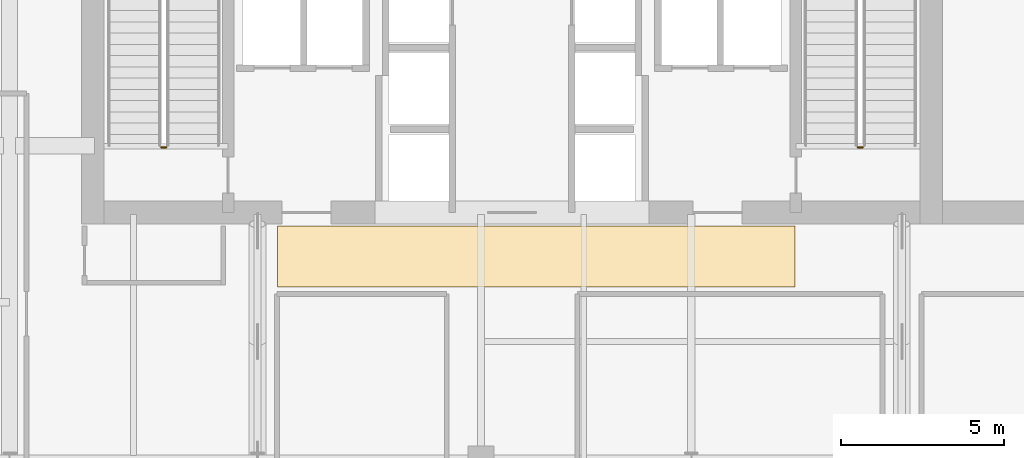
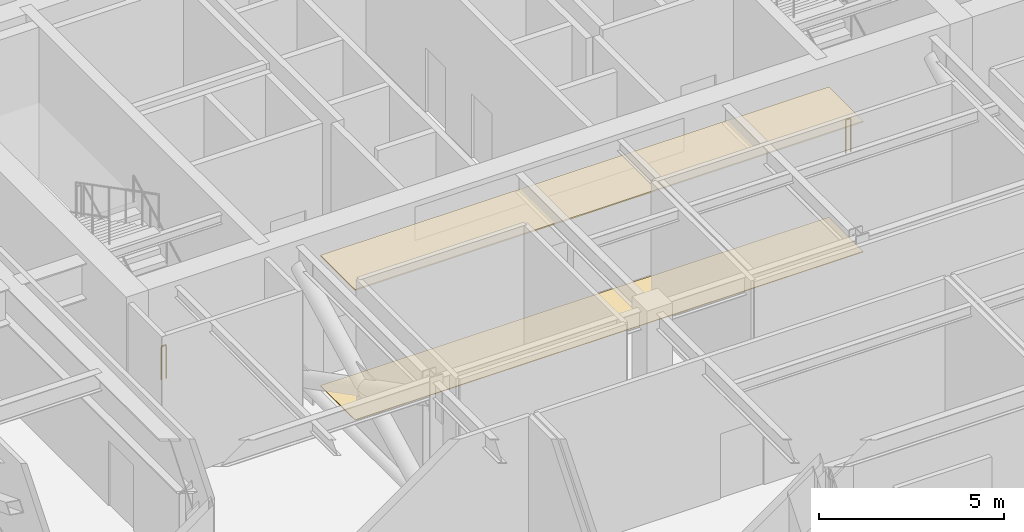
# One storey, part 9 of 12: 2 coverings, 2 railings.
"""IFC4 building model written with IfcOpenShell, lengths in metres."""

from ifc_helpers import new_model, si_unit, direction, frame, origin, origin_2d, place, context, subcontext, project, spatial, polyline, circle, outline, extrude, material, layer, layer_set, type_object, element, save


model = new_model("IFC4")

# Units and contexts
model_context = context("Model", 3, precision=1e-05, world=origin(), true_north=direction((0.0, 1.0)))
body_context = subcontext(model_context, "Body", "Model", "MODEL_VIEW")
ifc_project = project(units=[si_unit("LENGTHUNIT", "METRE"), si_unit("AREAUNIT", "SQUARE_METRE"), si_unit("VOLUMEUNIT", "CUBIC_METRE"), si_unit("PLANEANGLEUNIT", "RADIAN"), si_unit("MASSUNIT", "GRAM", prefix="KILO")], contexts=[model_context])

# Site, building, storey
site_placement = place(None, origin())
site = spatial("IfcSite", under=ifc_project, at=site_placement, CompositionType="ELEMENT")
building_placement = place(site_placement, origin())
building = spatial("IfcBuilding", under=site, at=building_placement, Name="Tolvann Quenvar Hotel", CompositionType="ELEMENT")
storey_placement = place(building_placement, frame((0.0, 0.0, 182.550048828125)))
storey = spatial("IfcBuildingStorey", under=building, at=storey_placement, Name="L48", CompositionType="ELEMENT", Elevation=182.550048828125)

# Coverings
ifc_material_1 = material(Name="Micro-perforated acoustic mineral-fibre and timber-batten suspended ceiling", Category="wood")
ifc_layer_1 = layer(ifc_material_1, 0.0400390625)
ifc_layer_set_1 = layer_set([ifc_layer_1], Name="Micro-perforated acoustic mineral-fibre and timber-batten suspended ceiling")
covering_type_1 = type_object("IfcCoveringType", Name="COV_CEIL_ACOUSTIC_40", PredefinedType="CEILING", material=ifc_layer_set_1)
covering_1_placement = place(storey_placement, frame((0.0, 0.0, 4.280029296875)))
element("IfcCovering", 1, at=covering_1_placement, inside=storey, type_object=covering_type_1, Name="Suspended Acoustic Ceiling (Plant Core Stair Vestibule L48)", PredefinedType="CEILING", context=body_context, shape_type="SweptSolid", body=[
    extrude(outline(polyline([(15.820068359375, 29.669921875), (31.679931640625, 29.669921875), (31.679931640625, 31.5400390625), (15.820068359375, 31.5400390625), (15.820068359375, 29.669921875)])), origin(), (0.0, 0.0, 1.0), 0.0400390625),
])
ifc_material_2 = material(Name="Honed Australian bluestone, terrazzo and engineered oak flooring", Category="masonry")
ifc_layer_2 = layer(ifc_material_2, 0.02001953125)
ifc_layer_set_2 = layer_set([ifc_layer_2], Name="Honed Australian bluestone, terrazzo and engineered oak flooring")
covering_type_2 = type_object("IfcCoveringType", Name="COV_FLOOR_STONE_20", PredefinedType="FLOORING", material=ifc_layer_set_2)
covering_2_placement = place(storey_placement, origin())
element("IfcCovering", 2, at=covering_2_placement, inside=storey, type_object=covering_type_2, Name="Architectural Floor Finish (Plant Core Stair Vestibule L48)", PredefinedType="FLOORING", context=body_context, shape_type="SweptSolid", body=[
    extrude(outline(polyline([(15.820068359375, 29.669921875), (31.679931640625, 29.669921875), (31.679931640625, 31.5400390625), (15.820068359375, 31.5400390625), (15.820068359375, 29.669921875)])), origin(), (0.0, 0.0, 1.0), 0.02001953125),
])

# Railings
ifc_material_3 = material(Name="Brushed 316 stainless steel balustrade and handrail", Category="steel")
railing_type = type_object("IfcRailingType", Name="GUARDRAIL", PredefinedType="GUARDRAIL", material=ifc_material_3)
for number, where, name in (
    (3, (12.39990234375, 33.949951171875, 0.0), "L48 ST-C1 stair guard 4"),
    (4, (33.75, 33.949951171875, 0.0), "L48 ST-C2 stair guard 4"),
):
    element("IfcRailing", number, at=place(storey_placement, frame(where)), inside=storey, type_object=railing_type, Name=name, PredefinedType="GUARDRAIL", context=body_context, shape_type="SweptSolid", body=[
        extrude(circle(Radius=0.02392578125, at=origin_2d()), frame((0.0, 0.0, 1.09619140625), z_axis=(-1.0, 0.0, 0.0), x_axis=(0.0, -1.0, 0.0)), (0.0, 0.0, 1.0), 0.14990234375),
        extrude(circle(Radius=0.02099609375, at=origin_2d()), origin(), (0.0, 0.0, 1.0), 1.072021484375),
        extrude(circle(Radius=0.02099609375, at=origin_2d()), frame((-0.14990234375, 0.0, 0.0)), (0.0, 0.0, 1.0), 1.072021484375),
    ])

save(model, "model.ifc")
